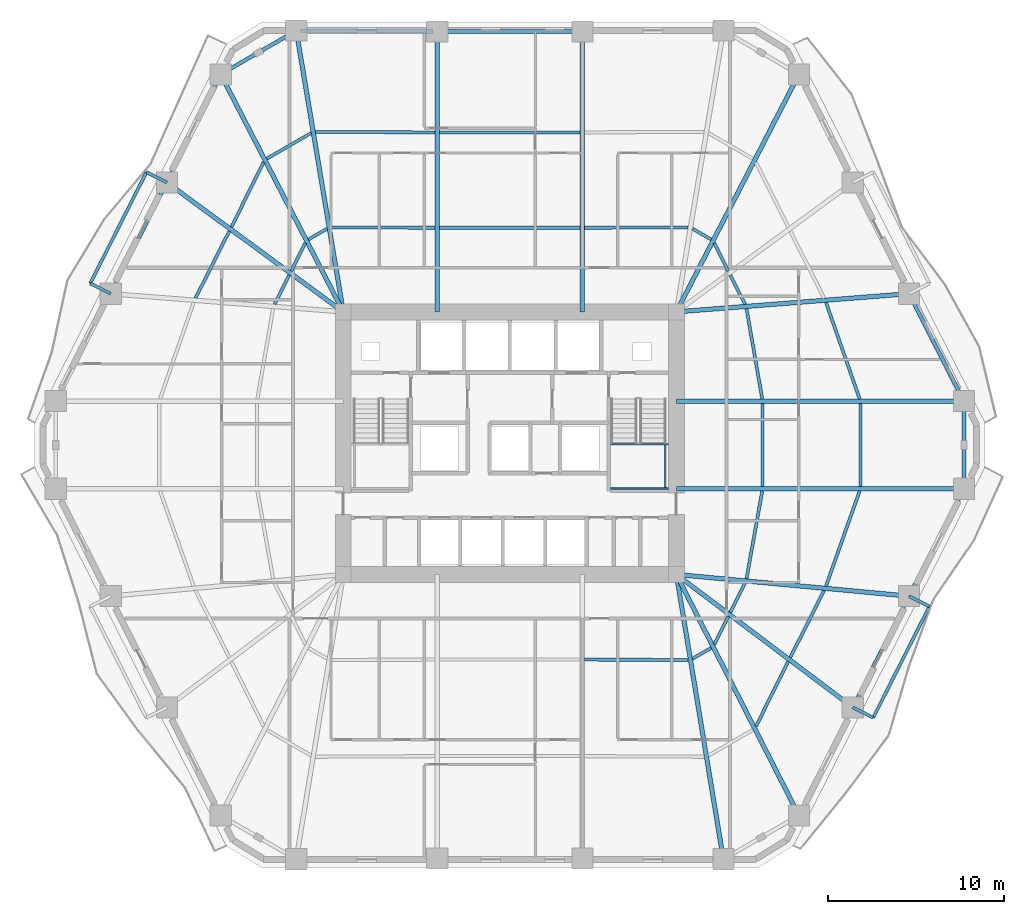
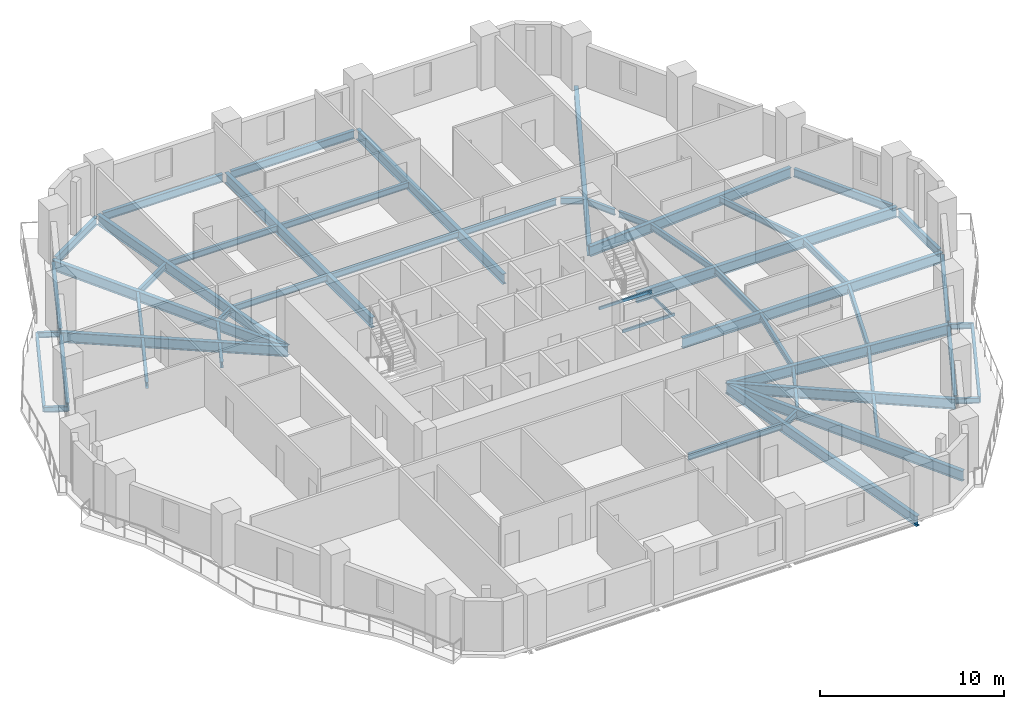
# One storey, part 2 of 11: 57 beams.
"""IFC4 building model written with IfcOpenShell, lengths in metres."""

from ifc_helpers import new_model, si_unit, direction, frame, origin, origin_2d, place, context, subcontext, project, spatial, hollow_rectangle, i_section, extrude, material, material_profile, profile_set, type_object, element, save


model = new_model("IFC4")

# Units and contexts
model_context = context("Model", 3, precision=1e-05, world=origin(), true_north=direction((0.0, 1.0)))
body_context = subcontext(model_context, "Body", "Model", "MODEL_VIEW")
ifc_project = project(units=[si_unit("LENGTHUNIT", "METRE"), si_unit("AREAUNIT", "SQUARE_METRE"), si_unit("VOLUMEUNIT", "CUBIC_METRE"), si_unit("PLANEANGLEUNIT", "RADIAN"), si_unit("MASSUNIT", "GRAM", prefix="KILO")], contexts=[model_context])

# Site, building, storey
site_placement = place(None, origin())
site = spatial("IfcSite", under=ifc_project, at=site_placement, CompositionType="ELEMENT")
building_placement = place(site_placement, origin())
building = spatial("IfcBuilding", under=site, at=building_placement, Name="Cinnabar Lancet Tower", CompositionType="ELEMENT")
storey_placement = place(building_placement, frame((0.0, 0.0, 56.85009765625)))
storey = spatial("IfcBuildingStorey", under=building, at=storey_placement, Name="L14", CompositionType="ELEMENT", Elevation=56.85009765625)

# Beams
ifc_material_1 = material(Name="Structural steel S355", Category="steel")
ifc_material_profile_1 = material_profile(ifc_material_1, i_section(OverallWidth=0.177978515625, OverallDepth=0.406494140625, WebThickness=0.0078125, FlangeThickness=0.0126953125, FilletRadius=0.01025390625, at=origin_2d()), Name="UKB 406x178x60")
ifc_profile_set_1 = profile_set([ifc_material_profile_1], Name="Structural steel S355")
beam_type_1 = type_object("IfcBeamType", Name="STR-BM-JST-406", PredefinedType="JOIST", material=ifc_profile_set_1)
beam_1_placement = place(storey_placement, frame((36.64892578125, 13.616943359375, -0.423095703125), z_axis=(0.999996783932, -0.002536163472, 0.0), x_axis=(0.002536163472, 0.999996783932, 0.0)))
element("IfcBeam", 1, at=beam_1_placement, inside=storey, type_object=beam_type_1, Name="L14 Secondary Floor Joist 14", PredefinedType="JOIST", context=body_context, shape_type="SweptSolid", body=[
    extrude(i_section(OverallWidth=0.177978515625, OverallDepth=0.406494140625, WebThickness=0.0078125, FlangeThickness=0.0126953125, FilletRadius=0.01025390625, at=origin_2d()), origin(), (0.0, 0.0, 1.0), 5.8720703125),
])
beam_2_placement = place(storey_placement, frame((42.76708984375, 13.669921875, -0.423095703125), z_axis=(0.865417177575, 0.50105200205, 0.0), x_axis=(-0.50105200205, 0.865417177575, 0.0)))
element("IfcBeam", 2, at=beam_2_placement, inside=storey, type_object=beam_type_1, Name="L14 Secondary Floor Joist 16", PredefinedType="JOIST", context=body_context, shape_type="SweptSolid", body=[
    extrude(i_section(OverallWidth=0.177978515625, OverallDepth=0.406494140625, WebThickness=0.0078125, FlangeThickness=0.0126953125, FilletRadius=0.01025390625, at=origin_2d()), origin(), (0.0, 0.0, 1.0), 1.223388671875),
])
beam_3_placement = place(storey_placement, frame((46.3701171875, 9.837890625, -0.423095703125), z_axis=(0.445807799253, 0.895128709251, 0.0), x_axis=(-0.895128709251, 0.445807799253, 0.0)))
element("IfcBeam", 3, at=beam_3_placement, inside=storey, type_object=beam_type_1, Name="L14 Secondary Floor Joist 17", PredefinedType="JOIST", context=body_context, shape_type="SweptSolid", body=[
    extrude(i_section(OverallWidth=0.177978515625, OverallDepth=0.406494140625, WebThickness=0.0078125, FlangeThickness=0.0126953125, FilletRadius=0.01025390625, at=origin_2d()), origin(), (0.0, 0.0, 1.0), 4.10009765625),
])
beam_4_placement = place(storey_placement, frame((44.006103515625, 14.488037109375, -0.423095703125), z_axis=(0.445778141453, 0.895143479339, 0.0), x_axis=(-0.895143479339, 0.445778141453, 0.0)))
element("IfcBeam", 4, at=beam_4_placement, inside=storey, type_object=beam_type_1, Name="L14 Secondary Floor Joist 18", PredefinedType="JOIST", context=body_context, shape_type="SweptSolid", body=[
    extrude(i_section(OverallWidth=0.177978515625, OverallDepth=0.406494140625, WebThickness=0.0078125, FlangeThickness=0.0126953125, FilletRadius=0.01025390625, at=origin_2d()), origin(), (0.0, 0.0, 1.0), 1.76953125),
])
beam_5_placement = place(storey_placement, frame((48.31396484375, 13.739013671875, -0.423095703125), z_axis=(0.450763900798, 0.892643213012, 0.0), x_axis=(-0.892643213012, 0.450763900798, 0.0)))
element("IfcBeam", 5, at=beam_5_placement, inside=storey, type_object=beam_type_1, Name="L14 Secondary Floor Joist 19", PredefinedType="JOIST", context=body_context, shape_type="SweptSolid", body=[
    extrude(i_section(OverallWidth=0.177978515625, OverallDepth=0.406494140625, WebThickness=0.0078125, FlangeThickness=0.0126953125, FilletRadius=0.01025390625, at=origin_2d()), origin(), (0.0, 0.0, 1.0), 4.25927734375),
])
beam_6_placement = place(storey_placement, frame((44.910888671875, 16.302978515625, -0.423095703125), z_axis=(0.450737053799, 0.892656769611, 0.0), x_axis=(-0.892656769611, 0.450737053799, 0.0)))
element("IfcBeam", 6, at=beam_6_placement, inside=storey, type_object=beam_type_1, Name="L14 Secondary Floor Joist 20", PredefinedType="JOIST", context=body_context, shape_type="SweptSolid", body=[
    extrude(i_section(OverallWidth=0.177978515625, OverallDepth=0.406494140625, WebThickness=0.0078125, FlangeThickness=0.0126953125, FilletRadius=0.01025390625, at=origin_2d()), origin(), (0.0, 0.0, 1.0), 1.855224609375),
])
beam_7_placement = place(storey_placement, frame((50.339111328125, 17.785888671875, -0.423095703125), z_axis=(0.333384030214, 0.942791115995, 0.0), x_axis=(-0.942791115995, 0.333384030214, 0.0)))
element("IfcBeam", 7, at=beam_7_placement, inside=storey, type_object=beam_type_1, Name="L14 Secondary Floor Joist 21", PredefinedType="JOIST", context=body_context, shape_type="SweptSolid", body=[
    extrude(i_section(OverallWidth=0.177978515625, OverallDepth=0.406494140625, WebThickness=0.0078125, FlangeThickness=0.0126953125, FilletRadius=0.01025390625, at=origin_2d()), origin(), (0.0, 0.0, 1.0), 5.728759765625),
])
beam_8_placement = place(storey_placement, frame((45.8310546875, 18.2060546875, -0.423095703125), z_axis=(0.176248165752, 0.98434576449, 0.0), x_axis=(-0.98434576449, 0.176248165752, 0.0)))
element("IfcBeam", 8, at=beam_8_placement, inside=storey, type_object=beam_type_1, Name="L14 Secondary Floor Joist 22", PredefinedType="JOIST", context=body_context, shape_type="SweptSolid", body=[
    extrude(i_section(OverallWidth=0.177978515625, OverallDepth=0.406494140625, WebThickness=0.0078125, FlangeThickness=0.0126953125, FilletRadius=0.01025390625, at=origin_2d()), origin(), (0.0, 0.0, 1.0), 5.06005859375),
])
for number, where, z_axis, x_axis, name in (
    (9, (52.2939453125, 23.44091796875, -0.423095703125), (0.0, 1.0, 0.0), (-1.0, 0.0, 0.0), "L14 Secondary Floor Joist 23"),
    (10, (46.7451171875, 23.44091796875, -0.423095703125), (0.0, 1.0, 0.0), (-1.0, 0.0, 0.0), "L14 Secondary Floor Joist 24"),
):
    element("IfcBeam", number, at=place(storey_placement, frame(where, z_axis=z_axis, x_axis=x_axis)), inside=storey, type_object=beam_type_1, Name=name, PredefinedType="JOIST", context=body_context, shape_type="SweptSolid", body=[
        extrude(i_section(OverallWidth=0.177978515625, OverallDepth=0.406494140625, WebThickness=0.0078125, FlangeThickness=0.0126953125, FilletRadius=0.01025390625, at=origin_2d()), origin(), (0.0, 0.0, 1.0), 4.718017578125),
    ])
beam_9_placement = place(storey_placement, frame((52.2490234375, 28.4130859375, -0.423095703125), z_axis=(-0.329541584143, 0.944141061664, 0.0), x_axis=(-0.944141061664, -0.329541584143, 0.0)))
element("IfcBeam", 11, at=beam_9_placement, inside=storey, type_object=beam_type_1, Name="L14 Secondary Floor Joist 25", PredefinedType="JOIST", context=body_context, shape_type="SweptSolid", body=[
    extrude(i_section(OverallWidth=0.177978515625, OverallDepth=0.406494140625, WebThickness=0.0078125, FlangeThickness=0.0126953125, FilletRadius=0.01025390625, at=origin_2d()), origin(), (0.0, 0.0, 1.0), 5.795654296875),
])
beam_10_placement = place(storey_placement, frame((46.722900390625, 28.4130859375, -0.423095703125), z_axis=(-0.171608810888, 0.985165171951, 0.0), x_axis=(-0.985165171951, -0.171608810888, 0.0)))
element("IfcBeam", 12, at=beam_10_placement, inside=storey, type_object=beam_type_1, Name="L14 Secondary Floor Joist 26", PredefinedType="JOIST", context=body_context, shape_type="SweptSolid", body=[
    extrude(i_section(OverallWidth=0.177978515625, OverallDepth=0.406494140625, WebThickness=0.0078125, FlangeThickness=0.0126953125, FilletRadius=0.01025390625, at=origin_2d()), origin(), (0.0, 0.0, 1.0), 5.197021484375),
])
beam_11_placement = place(storey_placement, frame((45.7470703125, 33.781005859375, -0.423095703125), z_axis=(-0.450525338421, 0.89276364142, 0.0), x_axis=(-0.89276364142, -0.450525338421, 0.0)))
element("IfcBeam", 13, at=beam_11_placement, inside=storey, type_object=beam_type_1, Name="L14 Secondary Floor Joist 28", PredefinedType="JOIST", context=body_context, shape_type="SweptSolid", body=[
    extrude(i_section(OverallWidth=0.177978515625, OverallDepth=0.406494140625, WebThickness=0.0078125, FlangeThickness=0.0126953125, FilletRadius=0.01025390625, at=origin_2d()), origin(), (0.0, 0.0, 1.0), 1.85595703125),
])
beam_12_placement = place(storey_placement, frame((44.794921875, 35.66796875, -0.423095703125), z_axis=(-0.445778141453, 0.895143479339, 0.0), x_axis=(-0.895143479339, -0.445778141453, 0.0)))
element("IfcBeam", 14, at=beam_12_placement, inside=storey, type_object=beam_type_1, Name="L14 Secondary Floor Joist 30", PredefinedType="JOIST", context=body_context, shape_type="SweptSolid", body=[
    extrude(i_section(OverallWidth=0.177978515625, OverallDepth=0.406494140625, WebThickness=0.0078125, FlangeThickness=0.0126953125, FilletRadius=0.01025390625, at=origin_2d()), origin(), (0.0, 0.0, 1.0), 1.76953125),
])
beam_13_placement = place(storey_placement, frame((43.825927734375, 37.45703125, -0.423095703125), z_axis=(-0.865417177575, 0.50105200205, 0.0), x_axis=(-0.50105200205, -0.865417177575, 0.0)))
element("IfcBeam", 15, at=beam_13_placement, inside=storey, type_object=beam_type_1, Name="L14 Secondary Floor Joist 32", PredefinedType="JOIST", context=body_context, shape_type="SweptSolid", body=[
    extrude(i_section(OverallWidth=0.177978515625, OverallDepth=0.406494140625, WebThickness=0.0078125, FlangeThickness=0.0126953125, FilletRadius=0.01025390625, at=origin_2d()), origin(), (0.0, 0.0, 1.0), 1.223388671875),
])
beam_14_placement = place(storey_placement, frame((42.52099609375, 38.137939453125, -0.423095703125), z_axis=(-0.999996783932, -0.002536163472, 0.0), x_axis=(0.002536163472, -0.999996783932, 0.0)))
element("IfcBeam", 16, at=beam_14_placement, inside=storey, type_object=beam_type_1, Name="L14 Secondary Floor Joist 34", PredefinedType="JOIST", context=body_context, shape_type="SweptSolid", body=[
    extrude(i_section(OverallWidth=0.177978515625, OverallDepth=0.406494140625, WebThickness=0.0078125, FlangeThickness=0.0126953125, FilletRadius=0.01025390625, at=origin_2d()), origin(), (0.0, 0.0, 1.0), 5.8720703125),
])
for number, where, z_axis, x_axis, name in (
    (17, (36.39501953125, 43.531005859375, -0.423095703125), (-1.0, 0.0, 0.0), (0.0, -1.0, 0.0), "L14 Secondary Floor Joist 35"),
    (18, (36.39501953125, 38.1220703125, -0.423095703125), (-1.0, 0.0, 0.0), (0.0, -1.0, 0.0), "L14 Secondary Floor Joist 36"),
):
    element("IfcBeam", number, at=place(storey_placement, frame(where, z_axis=z_axis, x_axis=x_axis)), inside=storey, type_object=beam_type_1, Name=name, PredefinedType="JOIST", context=body_context, shape_type="SweptSolid", body=[
        extrude(i_section(OverallWidth=0.177978515625, OverallDepth=0.406494140625, WebThickness=0.0078125, FlangeThickness=0.0126953125, FilletRadius=0.01025390625, at=origin_2d()), origin(), (0.0, 0.0, 1.0), 7.989990234375),
    ])
beam_15_placement = place(storey_placement, frame((28.15087890625, 43.531982421875, -0.423095703125), z_axis=(-0.999988870422, 0.004717947923, 0.0), x_axis=(-0.004717947923, -0.999988870422, 0.0)))
element("IfcBeam", 19, at=beam_15_placement, inside=storey, type_object=beam_type_1, Name="L14 Secondary Floor Joist 37", PredefinedType="JOIST", context=body_context, shape_type="SweptSolid", body=[
    extrude(i_section(OverallWidth=0.177978515625, OverallDepth=0.406494140625, WebThickness=0.0078125, FlangeThickness=0.0126953125, FilletRadius=0.01025390625, at=origin_2d()), origin(), (0.0, 0.0, 1.0), 6.77880859375),
])
beam_16_placement = place(storey_placement, frame((28.15087890625, 38.123046875, -0.423095703125), z_axis=(-0.999996783665, 0.00253626892, 0.0), x_axis=(-0.00253626892, -0.999996783665, 0.0)))
element("IfcBeam", 20, at=beam_16_placement, inside=storey, type_object=beam_type_1, Name="L14 Secondary Floor Joist 38", PredefinedType="JOIST", context=body_context, shape_type="SweptSolid", body=[
    extrude(i_section(OverallWidth=0.177978515625, OverallDepth=0.406494140625, WebThickness=0.0078125, FlangeThickness=0.0126953125, FilletRadius=0.01025390625, at=origin_2d()), origin(), (0.0, 0.0, 1.0), 5.871826171875),
])
beam_17_placement = place(storey_placement, frame((21.1259765625, 43.4970703125, -0.423095703125), z_axis=(-0.865209684948, -0.501410212373, 0.0), x_axis=(0.501410212373, -0.865209684948, 0.0)))
element("IfcBeam", 21, at=beam_17_placement, inside=storey, type_object=beam_type_1, Name="L14 Secondary Floor Joist 39", PredefinedType="JOIST", context=body_context, shape_type="SweptSolid", body=[
    extrude(i_section(OverallWidth=0.177978515625, OverallDepth=0.406494140625, WebThickness=0.0078125, FlangeThickness=0.0126953125, FilletRadius=0.01025390625, at=origin_2d()), origin(), (0.0, 0.0, 1.0), 2.90771484375),
])
beam_18_placement = place(storey_placement, frame((22.032958984375, 38.070068359375, -0.423095703125), z_axis=(-0.865417177575, -0.50105200205, 0.0), x_axis=(0.50105200205, -0.865417177575, 0.0)))
element("IfcBeam", 22, at=beam_18_placement, inside=storey, type_object=beam_type_1, Name="L14 Secondary Floor Joist 40", PredefinedType="JOIST", context=body_context, shape_type="SweptSolid", body=[
    extrude(i_section(OverallWidth=0.177978515625, OverallDepth=0.406494140625, WebThickness=0.0078125, FlangeThickness=0.0126953125, FilletRadius=0.01025390625, at=origin_2d()), origin(), (0.0, 0.0, 1.0), 1.223388671875),
])
beam_19_placement = place(storey_placement, frame((18.429931640625, 41.8349609375, -0.423095703125), z_axis=(-0.445641523434, -0.895211501597, 0.0), x_axis=(0.895211501597, -0.445641523434, 0.0)))
element("IfcBeam", 23, at=beam_19_placement, inside=storey, type_object=beam_type_1, Name="L14 Secondary Floor Joist 41", PredefinedType="JOIST", context=body_context, shape_type="SweptSolid", body=[
    extrude(i_section(OverallWidth=0.177978515625, OverallDepth=0.406494140625, WebThickness=0.0078125, FlangeThickness=0.0126953125, FilletRadius=0.01025390625, at=origin_2d()), origin(), (0.0, 0.0, 1.0), 4.1015625),
])
beam_20_placement = place(storey_placement, frame((20.7939453125, 37.251953125, -0.423095703125), z_axis=(-0.445888683384, -0.895088421347, 0.0), x_axis=(0.895088421347, -0.445888683384, 0.0)))
element("IfcBeam", 24, at=beam_20_placement, inside=storey, type_object=beam_type_1, Name="L14 Secondary Floor Joist 42", PredefinedType="JOIST", context=body_context, shape_type="SweptSolid", body=[
    extrude(i_section(OverallWidth=0.177978515625, OverallDepth=0.406494140625, WebThickness=0.0078125, FlangeThickness=0.0126953125, FilletRadius=0.01025390625, at=origin_2d()), origin(), (0.0, 0.0, 1.0), 1.76953125),
])
beam_21_placement = place(storey_placement, frame((16.486083984375, 37.93310546875, -0.423095703125), z_axis=(-0.450901848865, -0.892573539094, 0.0), x_axis=(0.892573539094, -0.450901848865, 0.0)))
element("IfcBeam", 25, at=beam_21_placement, inside=storey, type_object=beam_type_1, Name="L14 Secondary Floor Joist 43", PredefinedType="JOIST", context=body_context, shape_type="SweptSolid", body=[
    extrude(i_section(OverallWidth=0.177978515625, OverallDepth=0.406494140625, WebThickness=0.0078125, FlangeThickness=0.0126953125, FilletRadius=0.01025390625, at=origin_2d()), origin(), (0.0, 0.0, 1.0), 4.258544921875),
])
beam_22_placement = place(storey_placement, frame((19.888916015625, 35.43798828125, -0.423095703125), z_axis=(-0.450420487985, -0.892816545547, 0.0), x_axis=(0.892816545547, -0.450420487985, 0.0)))
element("IfcBeam", 26, at=beam_22_placement, inside=storey, type_object=beam_type_1, Name="L14 Secondary Floor Joist 44", PredefinedType="JOIST", context=body_context, shape_type="SweptSolid", body=[
    extrude(i_section(OverallWidth=0.177978515625, OverallDepth=0.406494140625, WebThickness=0.0078125, FlangeThickness=0.0126953125, FilletRadius=0.01025390625, at=origin_2d()), origin(), (0.0, 0.0, 1.0), 1.85595703125),
])
ifc_material_2 = material(Name="Structural steel S355", Category="steel")
ifc_material_profile_2 = material_profile(ifc_material_2, hollow_rectangle(XDim=0.10009765625, YDim=0.199951171875, WallThickness=0.008056640625, InnerFilletRadius=0.00390625, OuterFilletRadius=0.011962890625, at=origin_2d()), Name="RHS 200x100x8")
ifc_profile_set_2 = profile_set([ifc_material_profile_2], Name="Structural steel S355")
beam_type_2 = type_object("IfcBeamType", Name="STR-BM-LND-203", PredefinedType="BEAM", material=ifc_profile_set_2)
for number, where, z_axis, x_axis, name in (
    (27, (38.1201171875, 23.330078125, 1.474853515625), (1.0, 0.0, 0.0), (0.0, 1.0, 0.0), "L14 ST-2-L14 Landing Support Beam S"),
    (28, (38.1201171875, 25.844970703125, 1.474853515625), (1.0, 0.0, 0.0), (0.0, 1.0, 0.0), "L14 ST-2-L14 Landing Support Beam N"),
):
    element("IfcBeam", number, at=place(storey_placement, frame(where, z_axis=z_axis, x_axis=x_axis)), inside=storey, type_object=beam_type_2, Name=name, PredefinedType="BEAM", context=body_context, shape_type="SweptSolid", body=[
        extrude(hollow_rectangle(XDim=0.10009765625, YDim=0.199951171875, WallThickness=0.008056640625, InnerFilletRadius=0.00390625, OuterFilletRadius=0.011962890625, at=origin_2d()), origin(), (0.0, 0.0, 1.0), 3.27978515625),
    ])
beam_23_placement = place(storey_placement, frame((41.219970703125, 23.3798828125, 1.474853515625), z_axis=(0.0, 1.0, 0.0), x_axis=(-1.0, 0.0, 0.0)))
element("IfcBeam", 29, at=beam_23_placement, inside=storey, type_object=beam_type_2, Name="L14 ST-2-L14 Landing Side Trimmer Beam", PredefinedType="BEAM", context=body_context, shape_type="SweptSolid", body=[
    extrude(hollow_rectangle(XDim=0.10009765625, YDim=0.199951171875, WallThickness=0.008056640625, InnerFilletRadius=0.00390625, OuterFilletRadius=0.011962890625, at=origin_2d()), origin(), (0.0, 0.0, 1.0), 2.4150390625),
])
ifc_material_3 = material(Name="Structural steel S355", Category="steel")
ifc_material_profile_3 = material_profile(ifc_material_3, i_section(OverallWidth=0.209228515625, OverallDepth=0.533203125, WebThickness=0.010009765625, FlangeThickness=0.015625, FilletRadius=0.0126953125, at=origin_2d()), Name="UKB 533x210x92")
ifc_profile_set_3 = profile_set([ifc_material_profile_3], Name="Structural steel S355")
beam_type_3 = type_object("IfcBeamType", Name="STR-BM-SPN-533", PredefinedType="SPANDREL", material=ifc_profile_set_3)
beam_24_placement = place(storey_placement, frame((51.971923828125, 11.132080078125, -0.487060546875), z_axis=(0.450703143926, 0.892673891214, 0.0), x_axis=(-0.892673891214, 0.450703143926, 0.0)))
element("IfcBeam", 30, at=beam_24_placement, inside=storey, type_object=beam_type_3, Name="L14 Perimeter Spandrel 6", PredefinedType="SPANDREL", context=body_context, shape_type="SweptSolid", body=[
    extrude(i_section(OverallWidth=0.209228515625, OverallDepth=0.533203125, WebThickness=0.010009765625, FlangeThickness=0.015625, FilletRadius=0.0126953125, at=origin_2d()), origin(), (0.0, 0.0, 1.0), 6.570068359375),
])
beam_25_placement = place(storey_placement, frame((55.159912109375, 17.443115234375, -0.487060546875), z_axis=(0.456024522632, 0.889967209934, 0.0), x_axis=(-0.889967209934, 0.456024522632, 0.0)))
element("IfcBeam", 31, at=beam_25_placement, inside=storey, type_object=beam_type_3, Name="L14 Perimeter Spandrel 7", PredefinedType="SPANDREL", context=body_context, shape_type="SweptSolid", body=[
    extrude(i_section(OverallWidth=0.209228515625, OverallDepth=0.533203125, WebThickness=0.010009765625, FlangeThickness=0.015625, FilletRadius=0.0126953125, at=origin_2d()), origin(), (0.0, 0.0, 1.0), 6.34619140625),
])
beam_26_placement = place(storey_placement, frame((58.16796875, 23.56396484375, -0.487060546875), z_axis=(0.0, 1.0, 0.0), x_axis=(-1.0, 0.0, 0.0)))
element("IfcBeam", 32, at=beam_26_placement, inside=storey, type_object=beam_type_3, Name="L14 Perimeter Spandrel 8", PredefinedType="SPANDREL", context=body_context, shape_type="SweptSolid", body=[
    extrude(i_section(OverallWidth=0.209228515625, OverallDepth=0.533203125, WebThickness=0.010009765625, FlangeThickness=0.015625, FilletRadius=0.0126953125, at=origin_2d()), origin(), (0.0, 0.0, 1.0), 4.471923828125),
])
beam_27_placement = place(storey_placement, frame((58.053955078125, 28.509033203125, -0.487060546875), z_axis=(-0.456024522632, 0.889967209934, 0.0), x_axis=(-0.889967209934, -0.456024522632, 0.0)))
element("IfcBeam", 33, at=beam_27_placement, inside=storey, type_object=beam_type_3, Name="L14 Perimeter Spandrel 9", PredefinedType="SPANDREL", context=body_context, shape_type="SweptSolid", body=[
    extrude(i_section(OverallWidth=0.209228515625, OverallDepth=0.533203125, WebThickness=0.010009765625, FlangeThickness=0.015625, FilletRadius=0.0126953125, at=origin_2d()), origin(), (0.0, 0.0, 1.0), 6.34619140625),
])
beam_28_placement = place(storey_placement, frame((36.27197265625, 49.258056640625, -0.487060546875), z_axis=(-1.0, 0.0, 0.0), x_axis=(0.0, -1.0, 0.0)))
element("IfcBeam", 34, at=beam_28_placement, inside=storey, type_object=beam_type_3, Name="L14 Perimeter Spandrel 14", PredefinedType="SPANDREL", context=body_context, shape_type="SweptSolid", body=[
    extrude(i_section(OverallWidth=0.209228515625, OverallDepth=0.533203125, WebThickness=0.010009765625, FlangeThickness=0.015625, FilletRadius=0.0126953125, at=origin_2d()), origin(), (0.0, 0.0, 1.0), 7.743896484375),
])
beam_29_placement = place(storey_placement, frame((28.028076171875, 49.260009765625, -0.487060546875), z_axis=(-0.99997856757, 0.006547090947, 0.0), x_axis=(-0.006547090947, -0.99997856757, 0.0)))
element("IfcBeam", 35, at=beam_29_placement, inside=storey, type_object=beam_type_3, Name="L14 Perimeter Spandrel 15", PredefinedType="SPANDREL", context=body_context, shape_type="SweptSolid", body=[
    extrude(i_section(OverallWidth=0.209228515625, OverallDepth=0.533203125, WebThickness=0.010009765625, FlangeThickness=0.015625, FilletRadius=0.0126953125, at=origin_2d()), origin(), (0.0, 0.0, 1.0), 7.495361328125),
])
beam_30_placement = place(storey_placement, frame((20.06689453125, 49.18603515625, -0.487060546875), z_axis=(-0.865147238596, -0.501517951374, 0.0), x_axis=(0.501517951374, -0.865147238596, 0.0)))
element("IfcBeam", 36, at=beam_30_placement, inside=storey, type_object=beam_type_3, Name="L14 Perimeter Spandrel 16", PredefinedType="SPANDREL", context=body_context, shape_type="SweptSolid", body=[
    extrude(i_section(OverallWidth=0.209228515625, OverallDepth=0.533203125, WebThickness=0.010009765625, FlangeThickness=0.015625, FilletRadius=0.0126953125, at=origin_2d()), origin(), (0.0, 0.0, 1.0), 4.454833984375),
])
beam_31_placement = place(storey_placement, frame((15.885986328125, 46.60302734375, -0.487060546875), z_axis=(-0.445953050023, -0.89505635419, 0.0), x_axis=(0.89505635419, -0.445953050023, 0.0)))
element("IfcBeam", 37, at=beam_31_placement, inside=storey, type_object=beam_type_3, Name="L14 Perimeter Spandrel 17", PredefinedType="SPANDREL", context=body_context, shape_type="SweptSolid", body=[
    extrude(i_section(OverallWidth=0.209228515625, OverallDepth=0.533203125, WebThickness=0.010009765625, FlangeThickness=0.015625, FilletRadius=0.0126953125, at=origin_2d()), origin(), (0.0, 0.0, 1.0), 6.35498046875),
])
beam_32_placement = place(storey_placement, frame((12.827880859375, 40.468017578125, -0.487060546875), z_axis=(-0.450673532306, -0.892688841242, 0.0), x_axis=(0.892688841242, -0.450673532306, 0.0)))
element("IfcBeam", 38, at=beam_32_placement, inside=storey, type_object=beam_type_3, Name="L14 Perimeter Spandrel 18", PredefinedType="SPANDREL", context=body_context, shape_type="SweptSolid", body=[
    extrude(i_section(OverallWidth=0.209228515625, OverallDepth=0.533203125, WebThickness=0.010009765625, FlangeThickness=0.015625, FilletRadius=0.0126953125, at=origin_2d()), origin(), (0.0, 0.0, 1.0), 6.570068359375),
])
ifc_material_4 = material(Name="Structural steel S355", Category="steel")
ifc_material_profile_4 = material_profile(ifc_material_4, i_section(OverallWidth=0.253662109375, OverallDepth=0.68359375, WebThickness=0.012451171875, FlangeThickness=0.01904296875, FilletRadius=0.01513671875, at=origin_2d()), Name="UKB 686x254x140")
ifc_profile_set_4 = profile_set([ifc_material_profile_4], Name="Structural steel S355")
beam_type_4 = type_object("IfcBeamType", Name="STR-BM-UKB686-140", PredefinedType="BEAM", material=ifc_profile_set_4)
beam_33_placement = place(storey_placement, frame((51.85888671875, 10.908935546875, -0.56201171875), z_axis=(-0.798679534026, 0.601756596912, 0.0), x_axis=(-0.601756596912, -0.798679534026, 0.0)))
element("IfcBeam", 39, at=beam_33_placement, inside=storey, type_object=beam_type_4, Name="L14 Corner Collector Girder 2", PredefinedType="BEAM", context=body_context, shape_type="SweptSolid", body=[
    extrude(i_section(OverallWidth=0.253662109375, OverallDepth=0.68359375, WebThickness=0.012451171875, FlangeThickness=0.01904296875, FilletRadius=0.01513671875, at=origin_2d()), origin(), (0.0, 0.0, 1.0), 12.53173828125),
])
beam_34_placement = place(storey_placement, frame((12.94091796875, 40.69091796875, -0.56201171875), z_axis=(0.806371852816, -0.591408856026, 0.0), x_axis=(0.591408856026, 0.806371852816, 0.0)))
element("IfcBeam", 40, at=beam_34_placement, inside=storey, type_object=beam_type_4, Name="L14 Corner Collector Girder 4", PredefinedType="BEAM", context=body_context, shape_type="SweptSolid", body=[
    extrude(i_section(OverallWidth=0.253662109375, OverallDepth=0.68359375, WebThickness=0.012451171875, FlangeThickness=0.01904296875, FilletRadius=0.01513671875, at=origin_2d()), origin(), (0.0, 0.0, 1.0), 12.412353515625),
])
beam_35_placement = place(storey_placement, frame((44.51708984375, 2.2890625, -0.56201171875), z_axis=(-0.162825264118, 0.986654921117, 0.0), x_axis=(-0.986654921117, -0.162825264118, 0.0)))
element("IfcBeam", 41, at=beam_35_placement, inside=storey, type_object=beam_type_4, Name="L14 Primary Floor Girder 4", PredefinedType="BEAM", context=body_context, shape_type="SweptSolid", body=[
    extrude(i_section(OverallWidth=0.253662109375, OverallDepth=0.68359375, WebThickness=0.012451171875, FlangeThickness=0.01904296875, FilletRadius=0.01513671875, at=origin_2d()), origin(), (0.0, 0.0, 1.0), 16.37939453125),
])
beam_36_placement = place(storey_placement, frame((48.802978515625, 4.77294921875, -0.56201171875), z_axis=(-0.453167599586, 0.89142533433, 0.0), x_axis=(-0.89142533433, -0.453167599586, 0.0)))
element("IfcBeam", 42, at=beam_36_placement, inside=storey, type_object=beam_type_4, Name="L14 Primary Floor Girder 5", PredefinedType="BEAM", context=body_context, shape_type="SweptSolid", body=[
    extrude(i_section(OverallWidth=0.253662109375, OverallDepth=0.68359375, WebThickness=0.012451171875, FlangeThickness=0.01904296875, FilletRadius=0.01513671875, at=origin_2d()), origin(), (0.0, 0.0, 1.0), 15.3427734375),
])
beam_37_placement = place(storey_placement, frame((55.0458984375, 17.219970703125, -0.56201171875), z_axis=(-0.99568405159, 0.092807701238, 0.0), x_axis=(-0.092807701238, -0.99568405159, 0.0)))
element("IfcBeam", 43, at=beam_37_placement, inside=storey, type_object=beam_type_4, Name="L14 Primary Floor Girder 7", PredefinedType="BEAM", context=body_context, shape_type="SweptSolid", body=[
    extrude(i_section(OverallWidth=0.253662109375, OverallDepth=0.68359375, WebThickness=0.012451171875, FlangeThickness=0.01904296875, FilletRadius=0.01513671875, at=origin_2d()), origin(), (0.0, 0.0, 1.0), 13.2529296875),
])
for number, where, z_axis, x_axis, name in (
    (44, (58.16796875, 23.31396484375, -0.56201171875), (-1.0, 0.0, 0.0), (0.0, -1.0, 0.0), "L14 Primary Floor Girder 8"),
    (45, (58.16796875, 28.285888671875, -0.56201171875), (-1.0, 0.0, 0.0), (0.0, -1.0, 0.0), "L14 Primary Floor Girder 9"),
):
    element("IfcBeam", number, at=place(storey_placement, frame(where, z_axis=z_axis, x_axis=x_axis)), inside=storey, type_object=beam_type_4, Name=name, PredefinedType="BEAM", context=body_context, shape_type="SweptSolid", body=[
        extrude(i_section(OverallWidth=0.253662109375, OverallDepth=0.68359375, WebThickness=0.012451171875, FlangeThickness=0.01904296875, FilletRadius=0.01513671875, at=origin_2d()), origin(), (0.0, 0.0, 1.0), 16.31787109375),
    ])
beam_38_placement = place(storey_placement, frame((55.0458984375, 34.3798828125, -0.56201171875), z_axis=(-0.99696880683, -0.077802302076, 0.0), x_axis=(0.077802302076, -0.99696880683, 0.0)))
element("IfcBeam", 46, at=beam_38_placement, inside=storey, type_object=beam_type_4, Name="L14 Primary Floor Girder 10", PredefinedType="BEAM", context=body_context, shape_type="SweptSolid", body=[
    extrude(i_section(OverallWidth=0.253662109375, OverallDepth=0.68359375, WebThickness=0.012451171875, FlangeThickness=0.01904296875, FilletRadius=0.01513671875, at=origin_2d()), origin(), (0.0, 0.0, 1.0), 13.23583984375),
])
beam_39_placement = place(storey_placement, frame((48.802978515625, 46.826904296875, -0.56201171875), z_axis=(-0.458492410387, -0.888698323177, 0.0), x_axis=(0.888698323177, -0.458492410387, 0.0)))
element("IfcBeam", 47, at=beam_39_placement, inside=storey, type_object=beam_type_4, Name="L14 Primary Floor Girder 12", PredefinedType="BEAM", context=body_context, shape_type="SweptSolid", body=[
    extrude(i_section(OverallWidth=0.253662109375, OverallDepth=0.68359375, WebThickness=0.012451171875, FlangeThickness=0.01904296875, FilletRadius=0.01513671875, at=origin_2d()), origin(), (0.0, 0.0, 1.0), 15.16455078125),
])
for number, where, z_axis, x_axis, name in (
    (48, (36.52197265625, 49.258056640625, -0.56201171875), (0.0, -1.0, 0.0), (1.0, 0.0, 0.0), "L14 Primary Floor Girder 14"),
    (49, (28.278076171875, 49.258056640625, -0.56201171875), (0.0, -1.0, 0.0), (1.0, 0.0, 0.0), "L14 Primary Floor Girder 15"),
):
    element("IfcBeam", number, at=place(storey_placement, frame(where, z_axis=z_axis, x_axis=x_axis)), inside=storey, type_object=beam_type_4, Name=name, PredefinedType="BEAM", context=body_context, shape_type="SweptSolid", body=[
        extrude(i_section(OverallWidth=0.253662109375, OverallDepth=0.68359375, WebThickness=0.012451171875, FlangeThickness=0.01904296875, FilletRadius=0.01513671875, at=origin_2d()), origin(), (0.0, 0.0, 1.0), 15.907958984375),
    ])
beam_40_placement = place(storey_placement, frame((20.282958984375, 49.31103515625, -0.56201171875), z_axis=(0.164809990854, -0.986325335229, 0.0), x_axis=(0.986325335229, 0.164809990854, 0.0)))
element("IfcBeam", 50, at=beam_40_placement, inside=storey, type_object=beam_type_4, Name="L14 Primary Floor Girder 16", PredefinedType="BEAM", context=body_context, shape_type="SweptSolid", body=[
    extrude(i_section(OverallWidth=0.253662109375, OverallDepth=0.68359375, WebThickness=0.012451171875, FlangeThickness=0.01904296875, FilletRadius=0.01513671875, at=origin_2d()), origin(), (0.0, 0.0, 1.0), 16.18212890625),
])
beam_41_placement = place(storey_placement, frame((15.9970703125, 46.826904296875, -0.56201171875), z_axis=(0.458492410387, -0.888698323177, 0.0), x_axis=(0.888698323177, 0.458492410387, 0.0)))
element("IfcBeam", 51, at=beam_41_placement, inside=storey, type_object=beam_type_4, Name="L14 Primary Floor Girder 17", PredefinedType="BEAM", context=body_context, shape_type="SweptSolid", body=[
    extrude(i_section(OverallWidth=0.253662109375, OverallDepth=0.68359375, WebThickness=0.012451171875, FlangeThickness=0.01904296875, FilletRadius=0.01513671875, at=origin_2d()), origin(), (0.0, 0.0, 1.0), 15.16455078125),
])
ifc_material_5 = material(Name="Structural steel S355", Category="steel")
ifc_material_profile_5 = material_profile(ifc_material_5, i_section(OverallWidth=0.17138671875, OverallDepth=0.35498046875, WebThickness=0.00732421875, FlangeThickness=0.011474609375, FilletRadius=0.01025390625, at=origin_2d()), Name="UKB 356x171x51")
ifc_profile_set_5 = profile_set([ifc_material_profile_5], Name="Structural steel S355")
beam_type_5 = type_object("IfcBeamType", Name="STR-BM-WAV-OUT", PredefinedType="BEAM", material=ifc_profile_set_5)
for number, where, z_axis, x_axis, name in (
    (52, (51.85888671875, 10.908935546875, -0.397216796875), (0.892314203325, -0.451414845285, 0.0), (0.451414845285, 0.892314203325, 0.0), "L14 Face 2 Balcony Outlooker A"),
    (53, (55.0458984375, 17.219970703125, -0.397216796875), (0.892314203325, -0.451414845285, 0.0), (0.451414845285, 0.892314203325, 0.0), "L14 Face 2 Balcony Outlooker B"),
    (54, (12.94091796875, 40.69091796875, -0.397216796875), (-0.892200264127, 0.451639998995, 0.0), (-0.451639998995, -0.892200264127, 0.0), "L14 Face 5 Balcony Outlooker A"),
    (55, (9.75390625, 34.3798828125, -0.397216796875), (-0.892200264127, 0.451639998995, 0.0), (-0.451639998995, -0.892200264127, 0.0), "L14 Face 5 Balcony Outlooker B"),
):
    element("IfcBeam", number, at=place(storey_placement, frame(where, z_axis=z_axis, x_axis=x_axis)), inside=storey, type_object=beam_type_5, Name=name, PredefinedType="BEAM", context=body_context, shape_type="SweptSolid", body=[
        extrude(i_section(OverallWidth=0.17138671875, OverallDepth=0.35498046875, WebThickness=0.00732421875, FlangeThickness=0.011474609375, FilletRadius=0.01025390625, at=origin_2d()), origin(), (0.0, 0.0, 1.0), 1.300048828125),
    ])
ifc_material_6 = material(Name="Structural steel S355", Category="steel")
ifc_material_profile_6 = material_profile(ifc_material_6, i_section(OverallWidth=0.17138671875, OverallDepth=0.35498046875, WebThickness=0.00732421875, FlangeThickness=0.011474609375, FilletRadius=0.01025390625, at=origin_2d()), Name="UKB 356x171x51")
ifc_profile_set_6 = profile_set([ifc_material_profile_6], Name="Structural steel S355")
beam_type_6 = type_object("IfcBeamType", Name="STR-BM-WAV-TRIM", PredefinedType="SPANDREL", material=ifc_profile_set_6)
for number, where, z_axis, x_axis, name in (
    (56, (53.01904296875, 10.322021484375, -0.397216796875), (0.450773692627, 0.892638268301, 0.0), (-0.892638268301, 0.450773692627, 0.0), "L14 Face 2 Balcony Edge Trimmer"),
    (57, (11.781005859375, 41.278076171875, -0.397216796875), (-0.450773692627, -0.892638268301, 0.0), (0.892638268301, -0.450773692627, 0.0), "L14 Face 5 Balcony Edge Trimmer"),
):
    element("IfcBeam", number, at=place(storey_placement, frame(where, z_axis=z_axis, x_axis=x_axis)), inside=storey, type_object=beam_type_6, Name=name, PredefinedType="SPANDREL", context=body_context, shape_type="SweptSolid", body=[
        extrude(i_section(OverallWidth=0.17138671875, OverallDepth=0.35498046875, WebThickness=0.00732421875, FlangeThickness=0.011474609375, FilletRadius=0.01025390625, at=origin_2d()), origin(), (0.0, 0.0, 1.0), 7.070068359375),
    ])

save(model, "model.ifc")
